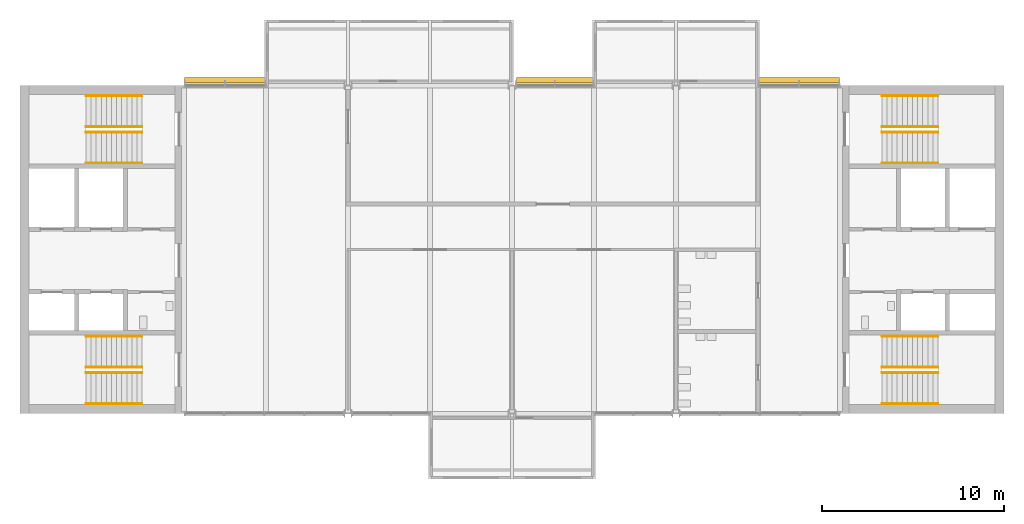
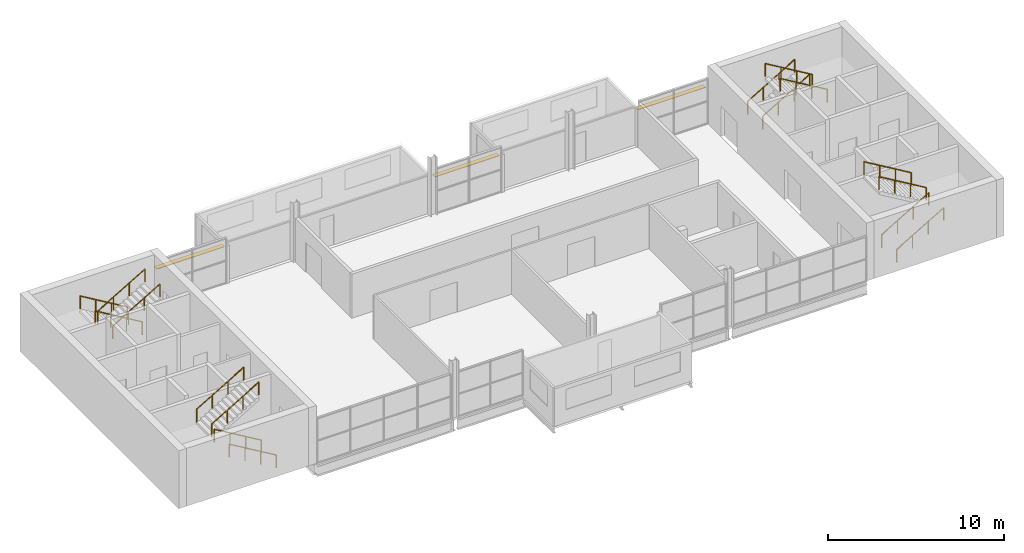
# One storey, part 9 of 10: 16 railings, 3 shading devices.
"""IFC4 building model written with IfcOpenShell, lengths in metres."""

from ifc_helpers import new_model, si_unit, direction, frame, origin, origin_2d, place, context, subcontext, project, spatial, rectangle, circle, extrude, material, layer, layer_set, type_object, element, save


model = new_model("IFC4")

# Units and contexts
model_context = context("Model", 3, precision=1e-05, world=origin(), true_north=direction((0.0, 1.0)))
body_context = subcontext(model_context, "Body", "Model", "MODEL_VIEW")
ifc_project = project(units=[si_unit("LENGTHUNIT", "METRE"), si_unit("AREAUNIT", "SQUARE_METRE"), si_unit("VOLUMEUNIT", "CUBIC_METRE"), si_unit("PLANEANGLEUNIT", "RADIAN"), si_unit("MASSUNIT", "GRAM", prefix="KILO")], contexts=[model_context])

# Site, building, storey
site_placement = place(None, origin())
site = spatial("IfcSite", under=ifc_project, at=site_placement, CompositionType="ELEMENT")
building_placement = place(site_placement, origin())
building = spatial("IfcBuilding", under=site, at=building_placement, Name="Corbel Yard City Hall", CompositionType="ELEMENT")
storey_placement = place(building_placement, frame((0.0, 0.0, 47.199951171875)))
storey = spatial("IfcBuildingStorey", under=building, at=storey_placement, Name="L11", CompositionType="ELEMENT", Elevation=47.199951171875)

# Railings
ifc_material_1 = material(Name="Stainless steel Grade 316", Category="steel")
railing_type = type_object("IfcRailingType", Name="HR1", PredefinedType="HANDRAIL", material=ifc_material_1)
for number, where, name in (
    (1, (6.699951171875, 99.550048828125, 0.166748046875), "Exit stair ST-W1 handrail"),
    (2, (6.699951171875, 101.25, 0.166748046875), "Exit stair ST-W1 handrail"),
):
    element("IfcRailing", number, at=place(storey_placement, frame(where)), inside=storey, type_object=railing_type, Name=name, PredefinedType="HANDRAIL", context=body_context, shape_type="SweptSolid", body=[
        extrude(circle(Radius=0.02392578125, at=origin_2d()), frame((0.0, 0.0, 0.8759765625), z_axis=(-0.859290745958, 0.0, 0.51148745235), x_axis=(0.0, -1.0, 0.0)), (0.0, 0.0, 1.0), 3.584228515625),
        extrude(circle(Radius=0.02099609375, at=origin_2d()), origin(), (0.0, 0.0, 1.0), 0.851806640625),
        extrude(circle(Radius=0.02099609375, at=origin_2d()), frame((-1.026611328125, 0.0, 0.611083984375)), (0.0, 0.0, 1.0), 0.851806640625),
        extrude(circle(Radius=0.02099609375, at=origin_2d()), frame((-2.05322265625, 0.0, 1.22216796875)), (0.0, 0.0, 1.0), 0.851806640625),
        extrude(circle(Radius=0.02099609375, at=origin_2d()), frame((-3.079833984375, 0.0, 1.833251953125)), (0.0, 0.0, 1.0), 0.851806640625),
    ])
for number, where, name in (
    (3, (3.6201171875, 101.550048828125, 2.166748046875), "Exit stair ST-W1 handrail"),
    (4, (3.6201171875, 103.25, 2.166748046875), "Exit stair ST-W1 handrail"),
):
    element("IfcRailing", number, at=place(storey_placement, frame(where)), inside=storey, type_object=railing_type, Name=name, PredefinedType="HANDRAIL", context=body_context, shape_type="SweptSolid", body=[
        extrude(circle(Radius=0.02392578125, at=origin_2d()), frame((0.0, 0.0, 0.8759765625), z_axis=(0.859290745958, 0.0, 0.51148745235), x_axis=(0.0, 1.0, 0.0)), (0.0, 0.0, 1.0), 3.584228515625),
        extrude(circle(Radius=0.02099609375, at=origin_2d()), origin(), (0.0, 0.0, 1.0), 0.851806640625),
        extrude(circle(Radius=0.02099609375, at=origin_2d()), frame((1.026611328125, 0.0, 0.611083984375)), (0.0, 0.0, 1.0), 0.851806640625),
        extrude(circle(Radius=0.02099609375, at=origin_2d()), frame((2.05322265625, 0.0, 1.22216796875)), (0.0, 0.0, 1.0), 0.851806640625),
        extrude(circle(Radius=0.02099609375, at=origin_2d()), frame((3.079833984375, 0.0, 1.833251953125)), (0.0, 0.0, 1.0), 0.851806640625),
    ])
for number, where, name in (
    (5, (6.699951171875, 116.449951171875, 0.166748046875), "Exit stair ST-W2 handrail"),
    (6, (6.699951171875, 114.75, 0.166748046875), "Exit stair ST-W2 handrail"),
):
    element("IfcRailing", number, at=place(storey_placement, frame(where)), inside=storey, type_object=railing_type, Name=name, PredefinedType="HANDRAIL", context=body_context, shape_type="SweptSolid", body=[
        extrude(circle(Radius=0.02392578125, at=origin_2d()), frame((0.0, 0.0, 0.8759765625), z_axis=(-0.859290745958, 0.0, 0.51148745235), x_axis=(0.0, -1.0, 0.0)), (0.0, 0.0, 1.0), 3.584228515625),
        extrude(circle(Radius=0.02099609375, at=origin_2d()), origin(), (0.0, 0.0, 1.0), 0.851806640625),
        extrude(circle(Radius=0.02099609375, at=origin_2d()), frame((-1.026611328125, 0.0, 0.611083984375)), (0.0, 0.0, 1.0), 0.851806640625),
        extrude(circle(Radius=0.02099609375, at=origin_2d()), frame((-2.05322265625, 0.0, 1.22216796875)), (0.0, 0.0, 1.0), 0.851806640625),
        extrude(circle(Radius=0.02099609375, at=origin_2d()), frame((-3.079833984375, 0.0, 1.833251953125)), (0.0, 0.0, 1.0), 0.851806640625),
    ])
for number, where, name in (
    (7, (3.6201171875, 114.449951171875, 2.166748046875), "Exit stair ST-W2 handrail"),
    (8, (3.6201171875, 112.75, 2.166748046875), "Exit stair ST-W2 handrail"),
    (9, (47.300048828125, 99.550048828125, 0.166748046875), "Exit stair ST-E1 handrail"),
    (10, (47.300048828125, 101.25, 0.166748046875), "Exit stair ST-E1 handrail"),
):
    element("IfcRailing", number, at=place(storey_placement, frame(where)), inside=storey, type_object=railing_type, Name=name, PredefinedType="HANDRAIL", context=body_context, shape_type="SweptSolid", body=[
        extrude(circle(Radius=0.02392578125, at=origin_2d()), frame((0.0, 0.0, 0.8759765625), z_axis=(0.859290745958, 0.0, 0.51148745235), x_axis=(0.0, 1.0, 0.0)), (0.0, 0.0, 1.0), 3.584228515625),
        extrude(circle(Radius=0.02099609375, at=origin_2d()), origin(), (0.0, 0.0, 1.0), 0.851806640625),
        extrude(circle(Radius=0.02099609375, at=origin_2d()), frame((1.026611328125, 0.0, 0.611083984375)), (0.0, 0.0, 1.0), 0.851806640625),
        extrude(circle(Radius=0.02099609375, at=origin_2d()), frame((2.05322265625, 0.0, 1.22216796875)), (0.0, 0.0, 1.0), 0.851806640625),
        extrude(circle(Radius=0.02099609375, at=origin_2d()), frame((3.079833984375, 0.0, 1.833251953125)), (0.0, 0.0, 1.0), 0.851806640625),
    ])
for number, where, name in (
    (11, (50.3798828125, 101.550048828125, 2.166748046875), "Exit stair ST-E1 handrail"),
    (12, (50.3798828125, 103.25, 2.166748046875), "Exit stair ST-E1 handrail"),
):
    element("IfcRailing", number, at=place(storey_placement, frame(where)), inside=storey, type_object=railing_type, Name=name, PredefinedType="HANDRAIL", context=body_context, shape_type="SweptSolid", body=[
        extrude(circle(Radius=0.02392578125, at=origin_2d()), frame((0.0, 0.0, 0.8759765625), z_axis=(-0.859290745958, 0.0, 0.51148745235), x_axis=(0.0, -1.0, 0.0)), (0.0, 0.0, 1.0), 3.584228515625),
        extrude(circle(Radius=0.02099609375, at=origin_2d()), origin(), (0.0, 0.0, 1.0), 0.851806640625),
        extrude(circle(Radius=0.02099609375, at=origin_2d()), frame((-1.026611328125, 0.0, 0.611083984375)), (0.0, 0.0, 1.0), 0.851806640625),
        extrude(circle(Radius=0.02099609375, at=origin_2d()), frame((-2.05322265625, 0.0, 1.22216796875)), (0.0, 0.0, 1.0), 0.851806640625),
        extrude(circle(Radius=0.02099609375, at=origin_2d()), frame((-3.079833984375, 0.0, 1.833251953125)), (0.0, 0.0, 1.0), 0.851806640625),
    ])
for number, where, name in (
    (13, (47.300048828125, 116.449951171875, 0.166748046875), "Exit stair ST-E2 handrail"),
    (14, (47.300048828125, 114.75, 0.166748046875), "Exit stair ST-E2 handrail"),
):
    element("IfcRailing", number, at=place(storey_placement, frame(where)), inside=storey, type_object=railing_type, Name=name, PredefinedType="HANDRAIL", context=body_context, shape_type="SweptSolid", body=[
        extrude(circle(Radius=0.02392578125, at=origin_2d()), frame((0.0, 0.0, 0.8759765625), z_axis=(0.859290745958, 0.0, 0.51148745235), x_axis=(0.0, 1.0, 0.0)), (0.0, 0.0, 1.0), 3.584228515625),
        extrude(circle(Radius=0.02099609375, at=origin_2d()), origin(), (0.0, 0.0, 1.0), 0.851806640625),
        extrude(circle(Radius=0.02099609375, at=origin_2d()), frame((1.026611328125, 0.0, 0.611083984375)), (0.0, 0.0, 1.0), 0.851806640625),
        extrude(circle(Radius=0.02099609375, at=origin_2d()), frame((2.05322265625, 0.0, 1.22216796875)), (0.0, 0.0, 1.0), 0.851806640625),
        extrude(circle(Radius=0.02099609375, at=origin_2d()), frame((3.079833984375, 0.0, 1.833251953125)), (0.0, 0.0, 1.0), 0.851806640625),
    ])
for number, where, name in (
    (15, (50.3798828125, 114.449951171875, 2.166748046875), "Exit stair ST-E2 handrail"),
    (16, (50.3798828125, 112.75, 2.166748046875), "Exit stair ST-E2 handrail"),
):
    element("IfcRailing", number, at=place(storey_placement, frame(where)), inside=storey, type_object=railing_type, Name=name, PredefinedType="HANDRAIL", context=body_context, shape_type="SweptSolid", body=[
        extrude(circle(Radius=0.02392578125, at=origin_2d()), frame((0.0, 0.0, 0.8759765625), z_axis=(-0.859290745958, 0.0, 0.51148745235), x_axis=(0.0, -1.0, 0.0)), (0.0, 0.0, 1.0), 3.584228515625),
        extrude(circle(Radius=0.02099609375, at=origin_2d()), origin(), (0.0, 0.0, 1.0), 0.851806640625),
        extrude(circle(Radius=0.02099609375, at=origin_2d()), frame((-1.026611328125, 0.0, 0.611083984375)), (0.0, 0.0, 1.0), 0.851806640625),
        extrude(circle(Radius=0.02099609375, at=origin_2d()), frame((-2.05322265625, 0.0, 1.22216796875)), (0.0, 0.0, 1.0), 0.851806640625),
        extrude(circle(Radius=0.02099609375, at=origin_2d()), frame((-3.079833984375, 0.0, 1.833251953125)), (0.0, 0.0, 1.0), 0.851806640625),
    ])

# Shading devices
ifc_material_2 = material(Name="Anodised aluminium", Category="aluminium")
ifc_layer = layer(ifc_material_2, 0.0400390625)
ifc_layer_set = layer_set([ifc_layer], Name="Anodised aluminium")
shading_device_type = type_object("IfcShadingDeviceType", Name="LV1", PredefinedType="JALOUSIE", material=ifc_layer_set)
shading_device_1_placement = place(storey_placement, frame((11.25, 117.2900390625, 2.392578125), z_axis=(0.0, 0.0, 1.0), x_axis=(1.0, 0.0, 0.0)))
element("IfcShadingDevice", 17, at=shading_device_1_placement, inside=storey, type_object=shading_device_type, Name="Louvre blade", PredefinedType="JALOUSIE", context=body_context, shape_type="SweptSolid", body=[
    extrude(rectangle(XDim=4.43505859375, YDim=0.300048828125, at=origin_2d()), origin(), (0.0, 0.0, 1.0), 0.0400390625),
])
shading_device_2_placement = place(storey_placement, frame((29.353515625, 117.2900390625, 2.392578125), z_axis=(0.0, 0.0, 1.0), x_axis=(1.0, 0.0, 0.0)))
element("IfcShadingDevice", 18, at=shading_device_2_placement, inside=storey, type_object=shading_device_type, Name="Louvre blade", PredefinedType="JALOUSIE", context=body_context, shape_type="SweptSolid", body=[
    extrude(rectangle(XDim=4.22802734375, YDim=0.300048828125, at=origin_2d()), origin(), (0.0, 0.0, 1.0), 0.0400390625),
])
shading_device_3_placement = place(storey_placement, frame((42.75, 117.2900390625, 2.392578125), z_axis=(0.0, 0.0, 1.0), x_axis=(1.0, 0.0, 0.0)))
element("IfcShadingDevice", 19, at=shading_device_3_placement, inside=storey, type_object=shading_device_type, Name="Louvre blade", PredefinedType="JALOUSIE", context=body_context, shape_type="SweptSolid", body=[
    extrude(rectangle(XDim=4.43505859375, YDim=0.300048828125, at=origin_2d()), origin(), (0.0, 0.0, 1.0), 0.0400390625),
])

save(model, "model.ifc")
